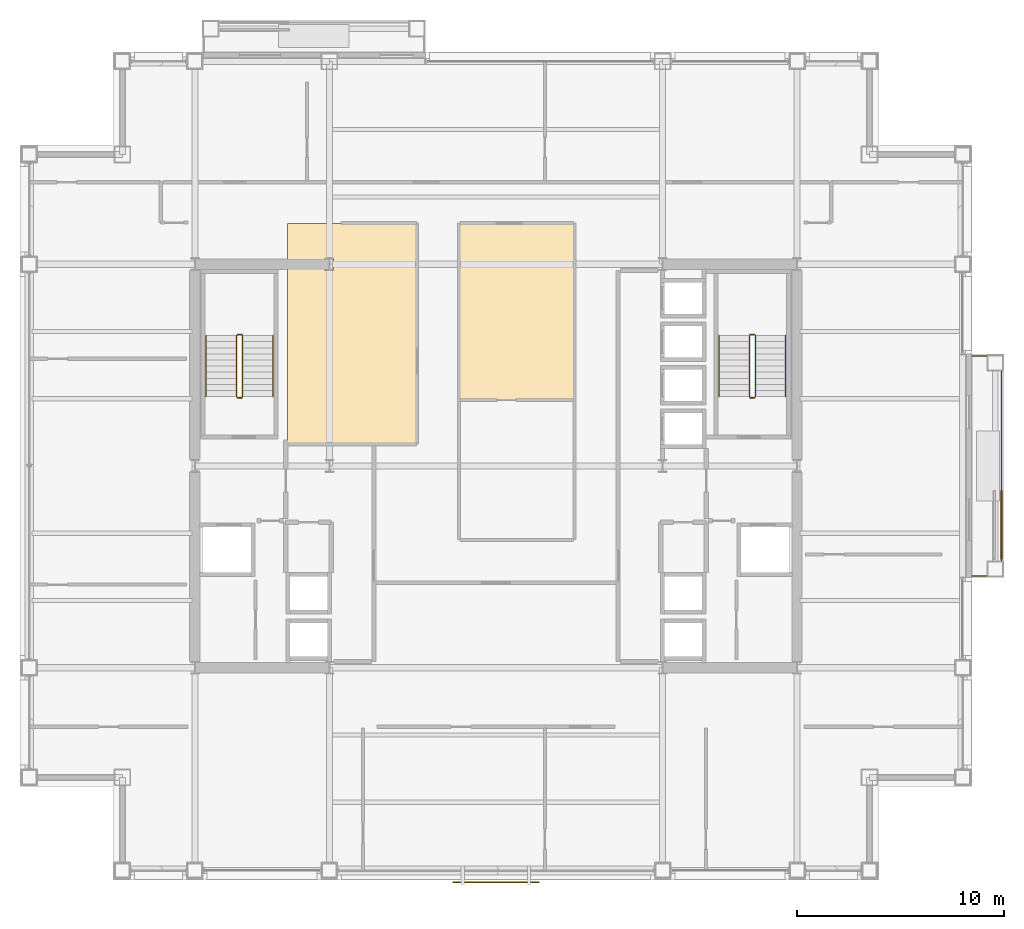
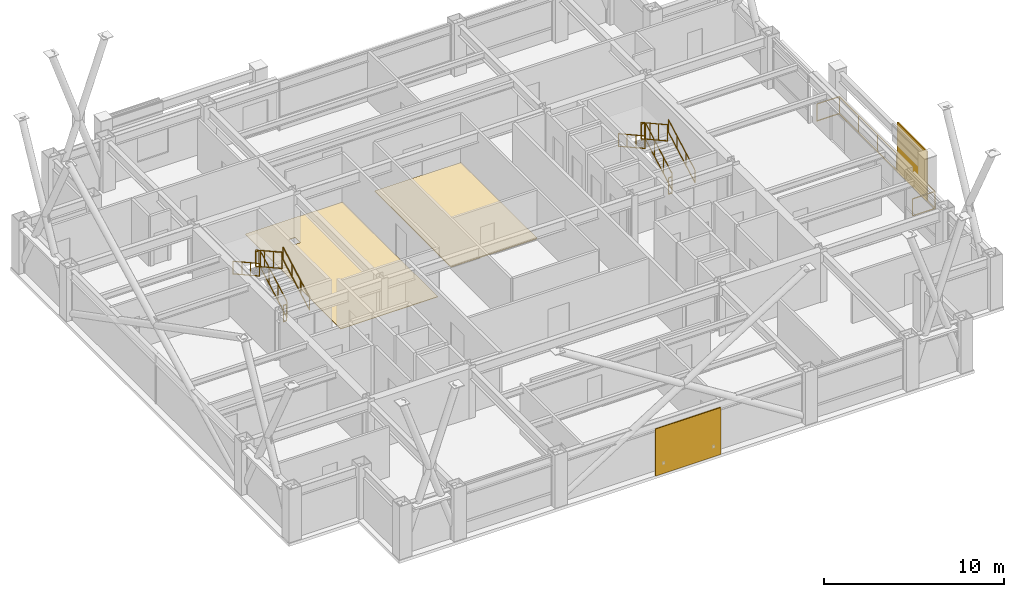
# One storey, part 31 of 33: 13 railings, 2 coverings, 2 shading devices.
"""IFC4 building model written with IfcOpenShell, lengths in metres."""

from ifc_helpers import new_model, si_unit, direction, frame, origin, origin_2d, place, context, subcontext, project, spatial, polyline, rectangle, outline, extrude, material, layer, layer_set, type_object, element, save


model = new_model("IFC4")

# Units and contexts
model_context = context("Model", 3, precision=1e-05, world=origin(), true_north=direction((0.0, 1.0)))
body_context = subcontext(model_context, "Body", "Model", "MODEL_VIEW")
ifc_project = project(units=[si_unit("LENGTHUNIT", "METRE"), si_unit("AREAUNIT", "SQUARE_METRE"), si_unit("VOLUMEUNIT", "CUBIC_METRE"), si_unit("PLANEANGLEUNIT", "RADIAN"), si_unit("MASSUNIT", "GRAM", prefix="KILO")], contexts=[model_context])

# Site, building, storey
site_placement = place(None, origin())
site = spatial("IfcSite", under=ifc_project, at=site_placement, CompositionType="ELEMENT")
building_placement = place(site_placement, origin())
building = spatial("IfcBuilding", under=site, at=building_placement, Name="Brelmoor Portico Tower", CompositionType="ELEMENT")
storey_placement = place(building_placement, frame((0.0, 0.0, 120.60009765625)))
storey = spatial("IfcBuildingStorey", under=building, at=storey_placement, Name="L31", CompositionType="ELEMENT", Elevation=120.60009765625)

# Coverings
ifc_material_1 = material(Name="Calcium-Sulphate Raised Access Floor Panel", Category="steel")
ifc_layer_1 = layer(ifc_material_1, 0.06005859375)
ifc_layer_set_1 = layer_set([ifc_layer_1], Name="Calcium-Sulphate Raised Access Floor Panel")
covering_type_1 = type_object("IfcCoveringType", Name="CV-FLR-ACCESS-60", PredefinedType="FLOORING", material=ifc_layer_set_1)
covering_1_placement = place(storey_placement, origin())
element("IfcCovering", 1, at=covering_1_placement, inside=storey, type_object=covering_type_1, Name="L31 Architectural Floor Finish 02", PredefinedType="FLOORING", context=body_context, shape_type="SweptSolid", body=[
    extrude(outline(polyline([(-1.760009765625, 3.219970703125), (-1.760009765625, 11.719970703125), (3.780029296875, 11.719970703125), (3.780029296875, 3.219970703125), (-1.760009765625, 3.219970703125)])), origin(), (0.0, 0.0, 1.0), 0.059814453125),
])
ifc_material_2 = material(Name="Honed Pearl-Grey Granite Paver Finish", Category="masonry")
ifc_layer_2 = layer(ifc_material_2, 0.0380859375)
ifc_layer_set_2 = layer_set([ifc_layer_2], Name="Honed Pearl-Grey Granite Paver Finish")
covering_type_2 = type_object("IfcCoveringType", Name="CV-FLR-GRANITE-38", PredefinedType="FLOORING", material=ifc_layer_set_2)
covering_2_placement = place(storey_placement, origin())
element("IfcCovering", 2, at=covering_2_placement, inside=storey, type_object=covering_type_2, Name="L31 Architectural Floor Finish 01", PredefinedType="FLOORING", context=body_context, shape_type="SweptSolid", body=[
    extrude(outline(polyline([(-10.080078125, 11.719970703125), (-3.840087890625, 11.719970703125), (-3.840087890625, 1.090087890625), (-10.080078125, 1.090087890625), (-10.080078125, 11.719970703125)]), holes=[polyline([(-7.85009765625, 9.449951171875), (-7.85009765625, 10.050048828125), (-8.25, 10.050048828125), (-8.25, 9.449951171875), (-7.85009765625, 9.449951171875)])]), origin(), (0.0, 0.0, 1.0), 0.037841796875),
])

# Railings
ifc_material_3 = material(Name="Perforated Pale Champagne Aluminium Fretwork Guard", Category="aluminium")
railing_type_1 = type_object("IfcRailingType", Name="RL-BALUSTRADE-1200", PredefinedType="BALUSTRADE", material=ifc_material_3)
railing_1_placement = place(storey_placement, frame((23.0, -5.320068359375, 0.0)))
element("IfcRailing", 3, at=railing_1_placement, inside=storey, type_object=railing_type_1, Name="L31 Tree Balcony Fretwork Balustrade E", PredefinedType="BALUSTRADE", context=body_context, shape_type="SweptSolid", body=[
    extrude(rectangle(XDim=0.048095703125, YDim=0.048095703125, at=origin_2d()), frame((0.0, 0.0, 1.17578125), z_axis=(1.0, 0.0, 0.0), x_axis=(0.0, 1.0, 0.0)), (0.0, 0.0, 1.0), 1.429931640625),
    extrude(rectangle(XDim=0.048095703125, YDim=0.048095703125, at=origin_2d()), frame((0.0, 0.0, 0.02392578125), z_axis=(1.0, 0.0, 0.0), x_axis=(0.0, 1.0, 0.0)), (0.0, 0.0, 1.0), 1.429931640625),
    extrude(rectangle(XDim=0.048095703125, YDim=0.048095703125, at=origin_2d()), frame((1.429931640625, 0.0, 1.17578125), z_axis=(0.0, 1.0, 0.0), x_axis=(-1.0, 0.0, 0.0)), (0.0, 0.0, 1.0), 10.64013671875),
    extrude(rectangle(XDim=0.048095703125, YDim=0.048095703125, at=origin_2d()), frame((1.429931640625, 0.0, 0.02392578125), z_axis=(0.0, 1.0, 0.0), x_axis=(-1.0, 0.0, 0.0)), (0.0, 0.0, 1.0), 10.64013671875),
    extrude(rectangle(XDim=0.048095703125, YDim=0.048095703125, at=origin_2d()), frame((1.429931640625, 10.64013671875, 1.17578125), z_axis=(-1.0, 0.0, 0.0), x_axis=(0.0, -1.0, 0.0)), (0.0, 0.0, 1.0), 1.429931640625),
    extrude(rectangle(XDim=0.048095703125, YDim=0.048095703125, at=origin_2d()), frame((1.429931640625, 10.64013671875, 0.02392578125), z_axis=(-1.0, 0.0, 0.0), x_axis=(0.0, -1.0, 0.0)), (0.0, 0.0, 1.0), 1.429931640625),
    extrude(rectangle(XDim=0.0419921875, YDim=0.0419921875, at=origin_2d()), origin(), (0.0, 0.0, 1.0), 1.15185546875),
    extrude(rectangle(XDim=0.0419921875, YDim=0.0419921875, at=origin_2d()), frame((1.429931640625, 0.0, 0.0)), (0.0, 0.0, 1.0), 1.15185546875),
    extrude(rectangle(XDim=0.0419921875, YDim=0.0419921875, at=origin_2d()), frame((1.429931640625, 2.1279296875, 0.0)), (0.0, 0.0, 1.0), 1.15185546875),
    extrude(rectangle(XDim=0.0419921875, YDim=0.0419921875, at=origin_2d()), frame((1.429931640625, 4.256103515625, 0.0)), (0.0, 0.0, 1.0), 1.15185546875),
    extrude(rectangle(XDim=0.0419921875, YDim=0.0419921875, at=origin_2d()), frame((1.429931640625, 6.384033203125, 0.0)), (0.0, 0.0, 1.0), 1.15185546875),
    extrude(rectangle(XDim=0.0419921875, YDim=0.0419921875, at=origin_2d()), frame((1.429931640625, 8.51220703125, 0.0)), (0.0, 0.0, 1.0), 1.15185546875),
    extrude(rectangle(XDim=0.0419921875, YDim=0.0419921875, at=origin_2d()), frame((1.429931640625, 10.64013671875, 0.0)), (0.0, 0.0, 1.0), 1.15185546875),
    extrude(rectangle(XDim=0.0419921875, YDim=0.0419921875, at=origin_2d()), frame((0.0, 10.64013671875, 0.0)), (0.0, 0.0, 1.0), 1.15185546875),
])
ifc_material_4 = material(Name="Painted Tubular Steel Q235B", Category="steel")
railing_type_2 = type_object("IfcRailingType", Name="RL-STAIR-GUARD", PredefinedType="GUARDRAIL", material=ifc_material_4)
railing_2_placement = place(storey_placement, frame((-12.239990234375, 3.35009765625, 0.16357421875)))
element("IfcRailing", 4, at=railing_2_placement, inside=storey, type_object=railing_type_2, Name="L31 ST-W stair guard 1", PredefinedType="GUARDRAIL", context=body_context, shape_type="SweptSolid", body=[
    extrude(rectangle(XDim=0.048095703125, YDim=0.048095703125, at=origin_2d()), frame((0.0, 0.0, 1.1259765625), z_axis=(0.0, 0.87448821551, 0.485046761595), x_axis=(-1.0, 0.0, 0.0)), (0.0, 0.0, 1.0), 3.373291015625),
    extrude(rectangle(XDim=0.048095703125, YDim=0.048095703125, at=origin_2d()), frame((0.0, 0.0, 0.02392578125), z_axis=(0.0, 0.87448821551, 0.485046761595), x_axis=(-1.0, 0.0, 0.0)), (0.0, 0.0, 1.0), 3.373291015625),
    extrude(rectangle(XDim=0.0419921875, YDim=0.0419921875, at=origin_2d()), origin(), (0.0, 0.0, 1.0), 1.101806640625),
    extrude(rectangle(XDim=0.0419921875, YDim=0.0419921875, at=origin_2d()), frame((0.0, 0.9833984375, 0.54541015625)), (0.0, 0.0, 1.0), 1.101806640625),
    extrude(rectangle(XDim=0.0419921875, YDim=0.0419921875, at=origin_2d()), frame((0.0, 1.966552734375, 1.0908203125)), (0.0, 0.0, 1.0), 1.101806640625),
    extrude(rectangle(XDim=0.0419921875, YDim=0.0419921875, at=origin_2d()), frame((0.0, 2.949951171875, 1.63623046875)), (0.0, 0.0, 1.0), 1.101806640625),
])
railing_3_placement = place(storey_placement, frame((-12.2900390625, 6.35009765625, 1.7998046875)))
element("IfcRailing", 5, at=railing_3_placement, inside=storey, type_object=railing_type_2, Name="L31 ST-W stair guard 2", PredefinedType="GUARDRAIL", context=body_context, shape_type="SweptSolid", body=[
    extrude(rectangle(XDim=0.048095703125, YDim=0.048095703125, at=origin_2d()), frame((0.0, 0.0, 1.1259765625), z_axis=(-1.0, 0.0, 0.0), x_axis=(0.0, -1.0, 0.0)), (0.0, 0.0, 1.0), 0.199951171875),
    extrude(rectangle(XDim=0.048095703125, YDim=0.048095703125, at=origin_2d()), frame((0.0, 0.0, 0.02392578125), z_axis=(-1.0, 0.0, 0.0), x_axis=(0.0, -1.0, 0.0)), (0.0, 0.0, 1.0), 0.199951171875),
    extrude(rectangle(XDim=0.0419921875, YDim=0.0419921875, at=origin_2d()), origin(), (0.0, 0.0, 1.0), 1.101806640625),
    extrude(rectangle(XDim=0.0419921875, YDim=0.0419921875, at=origin_2d()), frame((-0.199951171875, 0.0, 0.0)), (0.0, 0.0, 1.0), 1.101806640625),
])
railing_4_placement = place(storey_placement, frame((-12.5400390625, 6.300048828125, 1.963623046875)))
element("IfcRailing", 6, at=railing_4_placement, inside=storey, type_object=railing_type_2, Name="L31 ST-W stair guard 3", PredefinedType="GUARDRAIL", context=body_context, shape_type="SweptSolid", body=[
    extrude(rectangle(XDim=0.048095703125, YDim=0.048095703125, at=origin_2d()), frame((0.0, 0.0, 1.1259765625), z_axis=(0.0, -0.87448821551, 0.485046761595), x_axis=(1.0, 0.0, 0.0)), (0.0, 0.0, 1.0), 3.373291015625),
    extrude(rectangle(XDim=0.048095703125, YDim=0.048095703125, at=origin_2d()), frame((0.0, 0.0, 0.02392578125), z_axis=(0.0, -0.87448821551, 0.485046761595), x_axis=(1.0, 0.0, 0.0)), (0.0, 0.0, 1.0), 3.373291015625),
    extrude(rectangle(XDim=0.0419921875, YDim=0.0419921875, at=origin_2d()), origin(), (0.0, 0.0, 1.0), 1.101806640625),
    extrude(rectangle(XDim=0.0419921875, YDim=0.0419921875, at=origin_2d()), frame((0.0, -0.9833984375, 0.54541015625)), (0.0, 0.0, 1.0), 1.101806640625),
    extrude(rectangle(XDim=0.0419921875, YDim=0.0419921875, at=origin_2d()), frame((0.0, -1.966552734375, 1.0908203125)), (0.0, 0.0, 1.0), 1.101806640625),
    extrude(rectangle(XDim=0.0419921875, YDim=0.0419921875, at=origin_2d()), frame((0.0, -2.949951171875, 1.63623046875)), (0.0, 0.0, 1.0), 1.101806640625),
])
railing_5_placement = place(storey_placement, frame((-12.2900390625, 3.300048828125, 0.0)))
element("IfcRailing", 7, at=railing_5_placement, inside=storey, type_object=railing_type_2, Name="L31 ST-W stair guard 4", PredefinedType="GUARDRAIL", context=body_context, shape_type="SweptSolid", body=[
    extrude(rectangle(XDim=0.048095703125, YDim=0.048095703125, at=origin_2d()), frame((0.0, 0.0, 1.1259765625), z_axis=(-1.0, 0.0, 0.0), x_axis=(0.0, -1.0, 0.0)), (0.0, 0.0, 1.0), 0.199951171875),
    extrude(rectangle(XDim=0.048095703125, YDim=0.048095703125, at=origin_2d()), frame((0.0, 0.0, 0.02392578125), z_axis=(-1.0, 0.0, 0.0), x_axis=(0.0, -1.0, 0.0)), (0.0, 0.0, 1.0), 0.199951171875),
    extrude(rectangle(XDim=0.0419921875, YDim=0.0419921875, at=origin_2d()), origin(), (0.0, 0.0, 1.0), 1.101806640625),
    extrude(rectangle(XDim=0.0419921875, YDim=0.0419921875, at=origin_2d()), frame((-0.199951171875, 0.0, 0.0)), (0.0, 0.0, 1.0), 1.101806640625),
])
railing_6_placement = place(storey_placement, frame((12.5400390625, 3.35009765625, 0.16357421875)))
element("IfcRailing", 8, at=railing_6_placement, inside=storey, type_object=railing_type_2, Name="L31 ST-E stair guard 1", PredefinedType="GUARDRAIL", context=body_context, shape_type="SweptSolid", body=[
    extrude(rectangle(XDim=0.048095703125, YDim=0.048095703125, at=origin_2d()), frame((0.0, 0.0, 1.1259765625), z_axis=(0.0, 0.87448821551, 0.485046761595), x_axis=(-1.0, 0.0, 0.0)), (0.0, 0.0, 1.0), 3.373291015625),
    extrude(rectangle(XDim=0.048095703125, YDim=0.048095703125, at=origin_2d()), frame((0.0, 0.0, 0.02392578125), z_axis=(0.0, 0.87448821551, 0.485046761595), x_axis=(-1.0, 0.0, 0.0)), (0.0, 0.0, 1.0), 3.373291015625),
    extrude(rectangle(XDim=0.0419921875, YDim=0.0419921875, at=origin_2d()), origin(), (0.0, 0.0, 1.0), 1.101806640625),
    extrude(rectangle(XDim=0.0419921875, YDim=0.0419921875, at=origin_2d()), frame((0.0, 0.9833984375, 0.54541015625)), (0.0, 0.0, 1.0), 1.101806640625),
    extrude(rectangle(XDim=0.0419921875, YDim=0.0419921875, at=origin_2d()), frame((0.0, 1.966552734375, 1.0908203125)), (0.0, 0.0, 1.0), 1.101806640625),
    extrude(rectangle(XDim=0.0419921875, YDim=0.0419921875, at=origin_2d()), frame((0.0, 2.949951171875, 1.63623046875)), (0.0, 0.0, 1.0), 1.101806640625),
])
railing_7_placement = place(storey_placement, frame((12.489990234375, 6.35009765625, 1.7998046875)))
element("IfcRailing", 9, at=railing_7_placement, inside=storey, type_object=railing_type_2, Name="L31 ST-E stair guard 2", PredefinedType="GUARDRAIL", context=body_context, shape_type="SweptSolid", body=[
    extrude(rectangle(XDim=0.048095703125, YDim=0.048095703125, at=origin_2d()), frame((0.0, 0.0, 1.1259765625), z_axis=(-1.0, 0.0, 0.0), x_axis=(0.0, -1.0, 0.0)), (0.0, 0.0, 1.0), 0.199951171875),
    extrude(rectangle(XDim=0.048095703125, YDim=0.048095703125, at=origin_2d()), frame((0.0, 0.0, 0.02392578125), z_axis=(-1.0, 0.0, 0.0), x_axis=(0.0, -1.0, 0.0)), (0.0, 0.0, 1.0), 0.199951171875),
    extrude(rectangle(XDim=0.0419921875, YDim=0.0419921875, at=origin_2d()), origin(), (0.0, 0.0, 1.0), 1.101806640625),
    extrude(rectangle(XDim=0.0419921875, YDim=0.0419921875, at=origin_2d()), frame((-0.199951171875, 0.0, 0.0)), (0.0, 0.0, 1.0), 1.101806640625),
])
railing_8_placement = place(storey_placement, frame((12.239990234375, 6.300048828125, 1.963623046875)))
element("IfcRailing", 10, at=railing_8_placement, inside=storey, type_object=railing_type_2, Name="L31 ST-E stair guard 3", PredefinedType="GUARDRAIL", context=body_context, shape_type="SweptSolid", body=[
    extrude(rectangle(XDim=0.048095703125, YDim=0.048095703125, at=origin_2d()), frame((0.0, 0.0, 1.1259765625), z_axis=(0.0, -0.87448821551, 0.485046761595), x_axis=(1.0, 0.0, 0.0)), (0.0, 0.0, 1.0), 3.373291015625),
    extrude(rectangle(XDim=0.048095703125, YDim=0.048095703125, at=origin_2d()), frame((0.0, 0.0, 0.02392578125), z_axis=(0.0, -0.87448821551, 0.485046761595), x_axis=(1.0, 0.0, 0.0)), (0.0, 0.0, 1.0), 3.373291015625),
    extrude(rectangle(XDim=0.0419921875, YDim=0.0419921875, at=origin_2d()), origin(), (0.0, 0.0, 1.0), 1.101806640625),
    extrude(rectangle(XDim=0.0419921875, YDim=0.0419921875, at=origin_2d()), frame((0.0, -0.9833984375, 0.54541015625)), (0.0, 0.0, 1.0), 1.101806640625),
    extrude(rectangle(XDim=0.0419921875, YDim=0.0419921875, at=origin_2d()), frame((0.0, -1.966552734375, 1.0908203125)), (0.0, 0.0, 1.0), 1.101806640625),
    extrude(rectangle(XDim=0.0419921875, YDim=0.0419921875, at=origin_2d()), frame((0.0, -2.949951171875, 1.63623046875)), (0.0, 0.0, 1.0), 1.101806640625),
])
railing_9_placement = place(storey_placement, frame((12.489990234375, 3.300048828125, 0.0)))
element("IfcRailing", 11, at=railing_9_placement, inside=storey, type_object=railing_type_2, Name="L31 ST-E stair guard 4", PredefinedType="GUARDRAIL", context=body_context, shape_type="SweptSolid", body=[
    extrude(rectangle(XDim=0.048095703125, YDim=0.048095703125, at=origin_2d()), frame((0.0, 0.0, 1.1259765625), z_axis=(-1.0, 0.0, 0.0), x_axis=(0.0, -1.0, 0.0)), (0.0, 0.0, 1.0), 0.199951171875),
    extrude(rectangle(XDim=0.048095703125, YDim=0.048095703125, at=origin_2d()), frame((0.0, 0.0, 0.02392578125), z_axis=(-1.0, 0.0, 0.0), x_axis=(0.0, -1.0, 0.0)), (0.0, 0.0, 1.0), 0.199951171875),
    extrude(rectangle(XDim=0.0419921875, YDim=0.0419921875, at=origin_2d()), origin(), (0.0, 0.0, 1.0), 1.101806640625),
    extrude(rectangle(XDim=0.0419921875, YDim=0.0419921875, at=origin_2d()), frame((-0.199951171875, 0.0, 0.0)), (0.0, 0.0, 1.0), 1.101806640625),
])
ifc_material_5 = material(Name="Brushed Stainless Steel 304", Category="steel")
railing_type_3 = type_object("IfcRailingType", Name="RL-STAIR-HANDRAIL", PredefinedType="HANDRAIL", material=ifc_material_5)
railing_10_placement = place(storey_placement, frame((-10.780029296875, 3.35009765625, 0.16357421875)))
element("IfcRailing", 12, at=railing_10_placement, inside=storey, type_object=railing_type_3, Name="L31 ST-W stair handrail 1", PredefinedType="HANDRAIL", context=body_context, shape_type="SweptSolid", body=[
    extrude(rectangle(XDim=0.048095703125, YDim=0.048095703125, at=origin_2d()), frame((0.0, 0.0, 0.8759765625), z_axis=(0.0, 0.87448821551, 0.485046761595), x_axis=(-1.0, 0.0, 0.0)), (0.0, 0.0, 1.0), 3.373291015625),
    extrude(rectangle(XDim=0.048095703125, YDim=0.048095703125, at=origin_2d()), frame((0.0, 0.0, 0.02392578125), z_axis=(0.0, 0.87448821551, 0.485046761595), x_axis=(-1.0, 0.0, 0.0)), (0.0, 0.0, 1.0), 3.373291015625),
    extrude(rectangle(XDim=0.0419921875, YDim=0.0419921875, at=origin_2d()), origin(), (0.0, 0.0, 1.0), 0.851806640625),
    extrude(rectangle(XDim=0.0419921875, YDim=0.0419921875, at=origin_2d()), frame((0.0, 0.9833984375, 0.54541015625)), (0.0, 0.0, 1.0), 0.851806640625),
    extrude(rectangle(XDim=0.0419921875, YDim=0.0419921875, at=origin_2d()), frame((0.0, 1.966552734375, 1.0908203125)), (0.0, 0.0, 1.0), 0.851806640625),
    extrude(rectangle(XDim=0.0419921875, YDim=0.0419921875, at=origin_2d()), frame((0.0, 2.949951171875, 1.63623046875)), (0.0, 0.0, 1.0), 0.851806640625),
])
railing_11_placement = place(storey_placement, frame((-14.0, 6.300048828125, 1.963623046875)))
element("IfcRailing", 13, at=railing_11_placement, inside=storey, type_object=railing_type_3, Name="L31 ST-W stair handrail 2", PredefinedType="HANDRAIL", context=body_context, shape_type="SweptSolid", body=[
    extrude(rectangle(XDim=0.048095703125, YDim=0.048095703125, at=origin_2d()), frame((0.0, 0.0, 0.8759765625), z_axis=(0.0, -0.87448821551, 0.485046761595), x_axis=(1.0, 0.0, 0.0)), (0.0, 0.0, 1.0), 3.373291015625),
    extrude(rectangle(XDim=0.048095703125, YDim=0.048095703125, at=origin_2d()), frame((0.0, 0.0, 0.02392578125), z_axis=(0.0, -0.87448821551, 0.485046761595), x_axis=(1.0, 0.0, 0.0)), (0.0, 0.0, 1.0), 3.373291015625),
    extrude(rectangle(XDim=0.0419921875, YDim=0.0419921875, at=origin_2d()), origin(), (0.0, 0.0, 1.0), 0.851806640625),
    extrude(rectangle(XDim=0.0419921875, YDim=0.0419921875, at=origin_2d()), frame((0.0, -0.9833984375, 0.54541015625)), (0.0, 0.0, 1.0), 0.851806640625),
    extrude(rectangle(XDim=0.0419921875, YDim=0.0419921875, at=origin_2d()), frame((0.0, -1.966552734375, 1.0908203125)), (0.0, 0.0, 1.0), 0.851806640625),
    extrude(rectangle(XDim=0.0419921875, YDim=0.0419921875, at=origin_2d()), frame((0.0, -2.949951171875, 1.63623046875)), (0.0, 0.0, 1.0), 0.851806640625),
])
railing_12_placement = place(storey_placement, frame((14.0, 3.35009765625, 0.16357421875)))
element("IfcRailing", 14, at=railing_12_placement, inside=storey, type_object=railing_type_3, Name="L31 ST-E stair handrail 1", PredefinedType="HANDRAIL", context=body_context, shape_type="SweptSolid", body=[
    extrude(rectangle(XDim=0.048095703125, YDim=0.048095703125, at=origin_2d()), frame((0.0, 0.0, 0.8759765625), z_axis=(0.0, 0.87448821551, 0.485046761595), x_axis=(-1.0, 0.0, 0.0)), (0.0, 0.0, 1.0), 3.373291015625),
    extrude(rectangle(XDim=0.048095703125, YDim=0.048095703125, at=origin_2d()), frame((0.0, 0.0, 0.02392578125), z_axis=(0.0, 0.87448821551, 0.485046761595), x_axis=(-1.0, 0.0, 0.0)), (0.0, 0.0, 1.0), 3.373291015625),
    extrude(rectangle(XDim=0.0419921875, YDim=0.0419921875, at=origin_2d()), origin(), (0.0, 0.0, 1.0), 0.851806640625),
    extrude(rectangle(XDim=0.0419921875, YDim=0.0419921875, at=origin_2d()), frame((0.0, 0.9833984375, 0.54541015625)), (0.0, 0.0, 1.0), 0.851806640625),
    extrude(rectangle(XDim=0.0419921875, YDim=0.0419921875, at=origin_2d()), frame((0.0, 1.966552734375, 1.0908203125)), (0.0, 0.0, 1.0), 0.851806640625),
    extrude(rectangle(XDim=0.0419921875, YDim=0.0419921875, at=origin_2d()), frame((0.0, 2.949951171875, 1.63623046875)), (0.0, 0.0, 1.0), 0.851806640625),
])
railing_13_placement = place(storey_placement, frame((10.780029296875, 6.300048828125, 1.963623046875)))
element("IfcRailing", 15, at=railing_13_placement, inside=storey, type_object=railing_type_3, Name="L31 ST-E stair handrail 2", PredefinedType="HANDRAIL", context=body_context, shape_type="SweptSolid", body=[
    extrude(rectangle(XDim=0.048095703125, YDim=0.048095703125, at=origin_2d()), frame((0.0, 0.0, 0.8759765625), z_axis=(0.0, -0.87448821551, 0.485046761595), x_axis=(1.0, 0.0, 0.0)), (0.0, 0.0, 1.0), 3.373291015625),
    extrude(rectangle(XDim=0.048095703125, YDim=0.048095703125, at=origin_2d()), frame((0.0, 0.0, 0.02392578125), z_axis=(0.0, -0.87448821551, 0.485046761595), x_axis=(1.0, 0.0, 0.0)), (0.0, 0.0, 1.0), 3.373291015625),
    extrude(rectangle(XDim=0.0419921875, YDim=0.0419921875, at=origin_2d()), origin(), (0.0, 0.0, 1.0), 0.851806640625),
    extrude(rectangle(XDim=0.0419921875, YDim=0.0419921875, at=origin_2d()), frame((0.0, -0.9833984375, 0.54541015625)), (0.0, 0.0, 1.0), 0.851806640625),
    extrude(rectangle(XDim=0.0419921875, YDim=0.0419921875, at=origin_2d()), frame((0.0, -1.966552734375, 1.0908203125)), (0.0, 0.0, 1.0), 0.851806640625),
    extrude(rectangle(XDim=0.0419921875, YDim=0.0419921875, at=origin_2d()), frame((0.0, -2.949951171875, 1.63623046875)), (0.0, 0.0, 1.0), 0.851806640625),
])

# Shading devices
ifc_material_6 = material(Name="Powder-Coated Aluminium Shuttered Jalousie", Category="aluminium")
ifc_layer_3 = layer(ifc_material_6, 0.080078125)
ifc_layer_set_3 = layer_set([ifc_layer_3], Name="Powder-Coated Aluminium Shuttered Jalousie")
shading_device_type_1 = type_object("IfcShadingDeviceType", Name="SD-JALOUSIE-LOGGIA", PredefinedType="JALOUSIE", material=ifc_layer_set_3)
shading_device_1_placement = place(storey_placement, frame((24.429931640625, -2.85009765625, 0.0), z_axis=(0.0, 0.0, 1.0), x_axis=(0.0, 1.0, 0.0)))
element("IfcShadingDevice", 16, at=shading_device_1_placement, inside=storey, type_object=shading_device_type_1, Name="L31 Loggia Shuttered Jalousie E", PredefinedType="JALOUSIE", context=body_context, shape_type="SweptSolid", body=[
    extrude(rectangle(XDim=3.300048828125, YDim=0.080078125, at=origin_2d()), origin(), (0.0, 0.0, 1.0), 3.39990234375),
])
ifc_material_7 = material(Name="Perforated Pale Champagne Aluminium Solar Screen", Category="aluminium")
ifc_layer_4 = layer(ifc_material_7, 0.06494140625)
ifc_layer_set_4 = layer_set([ifc_layer_4], Name="Perforated Pale Champagne Aluminium Solar Screen")
shading_device_type_2 = type_object("IfcShadingDeviceType", Name="SD-SOLAR-SCREEN", PredefinedType="USERDEFINED", material=ifc_layer_set_4)
shading_device_2_placement = place(storey_placement, frame((0.0, -20.1201171875, 0.10009765625), z_axis=(0.0, 0.0, 1.0), x_axis=(1.0, 0.0, 0.0)))
element("IfcShadingDevice", 17, at=shading_device_2_placement, inside=storey, type_object=shading_device_type_2, Name="L31 Perforated Solar Screen S1", ObjectType="SCREEN", PredefinedType="USERDEFINED", context=body_context, shape_type="SweptSolid", body=[
    extrude(rectangle(XDim=4.199951171875, YDim=0.06494140625, at=origin_2d()), origin(), (0.0, 0.0, 1.0), 3.199951171875),
])

save(model, "model.ifc")
